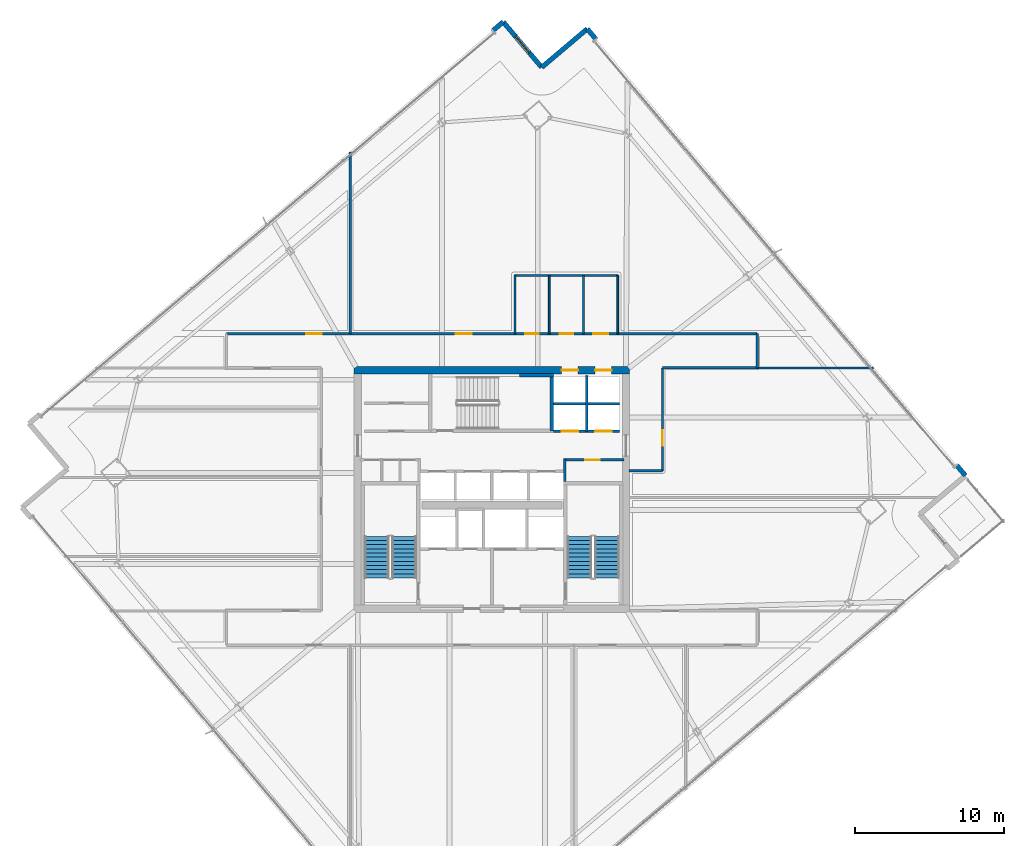
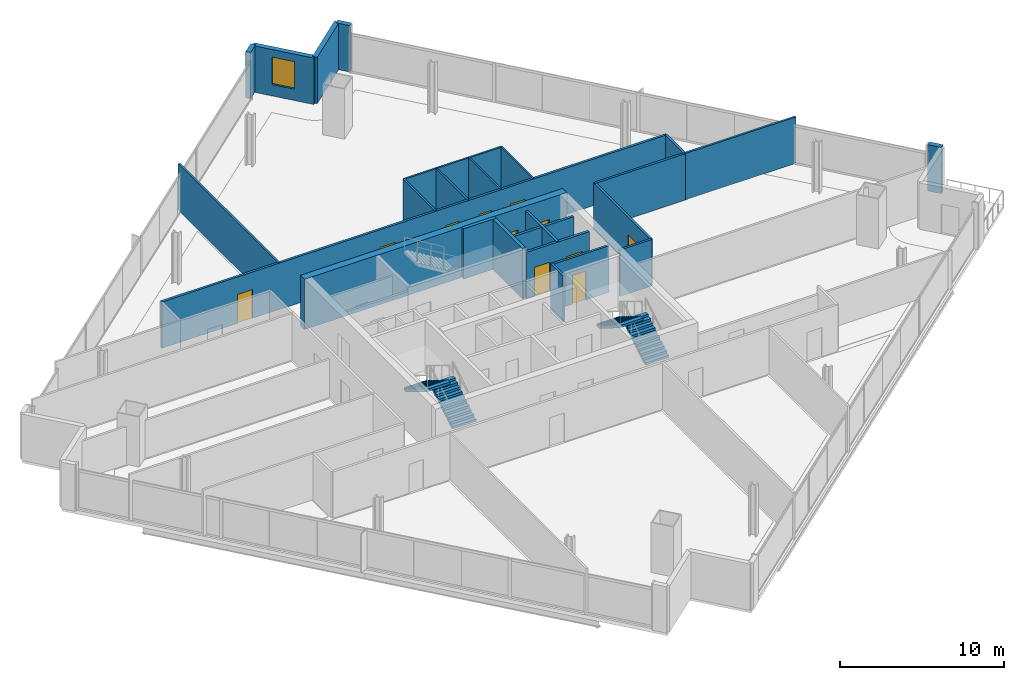
# One storey, part 28 of 34: 25 walls, 11 doors, 4 stair flights, 1 window, 12 openings, 2 elements without a shape of their own.
"""IFC4 building model written with IfcOpenShell, lengths in metres."""

import ifcopenshell
import ifcopenshell.guid

model = None  # the IFC model being written
_history = None  # IfcOwnerHistory: only IFC2X3 demands one
_inside = {}  # id of a spatial element -> (the spatial element, [elements in it])
_under = {}  # id of a project, library or spatial element -> (it, [spatial elements below it])
_declared = {}  # id of a project -> (the project, [libraries it declares])
_typed = {}  # id of a type object -> (the type object, [elements of that type])
_made_of = {}  # id of a material, layer set ... -> (it, [elements and type objects made of it])


def new_model(schema):
    """Start an empty IFC model of exactly this schema.

    Asked for "IFC4X3", IfcOpenShell would pick the latest addendum, in which some entities
    have other attributes; the version numbers below select the first issue.
    IFC2X3 requires an IfcOwnerHistory on every rooted entity: one is made here for all.
    """
    global model, _history
    if schema == "IFC4X3":
        model = ifcopenshell.file(schema_version=(4, 3, 0, 0))
    else:
        model = ifcopenshell.file(schema=schema)
    _inside.clear()
    _under.clear()
    _declared.clear()
    _typed.clear()
    _made_of.clear()
    _history = None
    if model.schema == "IFC2X3":
        org = make("IfcOrganization", Name="unknown")
        user = make(
            "IfcPersonAndOrganization",
            ThePerson=make("IfcPerson", FamilyName="unknown"),
            TheOrganization=org,
        )
        app = make(
            "IfcApplication",
            ApplicationDeveloper=org,
            Version="unknown",
            ApplicationFullName="unknown",
            ApplicationIdentifier="unknown",
        )
        _history = make(
            "IfcOwnerHistory",
            OwningUser=user,
            OwningApplication=app,
            ChangeAction="ADDED",
            CreationDate=0,
        )
    return model


def make(cls, **values):
    """One entity of the class cls with the attributes given. An attribute that is None is left unset."""
    return model.create_entity(
        cls, **{name: value for name, value in values.items() if value is not None}
    )


def rooted(cls, **values):
    """An entity with a GlobalId (a new one), such as an element, a storey or a relation."""
    return make(cls, GlobalId=ifcopenshell.guid.new(), OwnerHistory=_history, **values)


def si_unit(unit_type, name, prefix=None):
    """IfcSIUnit, for example si_unit("LENGTHUNIT", "METRE", prefix="MILLI")."""
    return make("IfcSIUnit", UnitType=unit_type, Prefix=prefix, Name=name)


def assignment(units):
    """IfcUnitAssignment: the units of a project."""
    return None if units is None else make("IfcUnitAssignment", Units=units)


def point(xyz):
    """IfcCartesianPoint."""
    return None if xyz is None else make("IfcCartesianPoint", Coordinates=xyz)


def direction(xyz):
    """IfcDirection."""
    return None if xyz is None else make("IfcDirection", DirectionRatios=xyz)


def frame(location, z_axis=None, x_axis=None):
    """IfcAxis2Placement3D, a coordinate frame: its origin and axes. An axis left out is left unset."""
    return make(
        "IfcAxis2Placement3D",
        Location=point(location),
        Axis=direction(z_axis),
        RefDirection=direction(x_axis),
    )


def frame_2d(location, x_axis=None):
    """IfcAxis2Placement2D, a coordinate frame in the plane: its origin and x axis."""
    return make(
        "IfcAxis2Placement2D", Location=point(location), RefDirection=direction(x_axis)
    )


def origin():
    """The frame at (0, 0, 0) with its axes left unset."""
    return frame((0.0, 0.0, 0.0))


def place(relative_to, where):
    """IfcLocalPlacement: puts the frame where relative to a parent placement (None: the world)."""
    return make(
        "IfcLocalPlacement", PlacementRelTo=relative_to, RelativePlacement=where
    )


def context(
    kind, dimensions, precision=None, world=None, true_north=None, identifier=None
):
    """IfcGeometricRepresentationContext, for example the 3D "Model" context."""
    return make(
        "IfcGeometricRepresentationContext",
        ContextIdentifier=identifier,
        ContextType=kind,
        CoordinateSpaceDimension=dimensions,
        Precision=precision,
        WorldCoordinateSystem=world,
        TrueNorth=true_north,
    )


def subcontext(parent, identifier, kind, view, scale=None):
    """IfcGeometricRepresentationSubContext, for example "Body" below "Model"."""
    return make(
        "IfcGeometricRepresentationSubContext",
        ContextIdentifier=identifier,
        ContextType=kind,
        ParentContext=parent,
        TargetScale=scale,
        TargetView=view,
    )


def project(units=None, contexts=None):
    """IfcProject with its units and contexts."""
    return rooted(
        "IfcProject",
        Name="project",
        RepresentationContexts=contexts,
        UnitsInContext=assignment(units),
    )


def spatial(cls, under=None, at=None, **own):
    """A site, building, storey or space (cls), placed at a placement, below another one or the project."""
    s = rooted(cls, ObjectPlacement=at, **own)
    if under is not None:
        _under.setdefault(under.id(), (under, []))[1].append(s)
    return s


def polyline(points):
    """IfcPolyline through the points."""
    return make("IfcPolyline", Points=[point(p) for p in points])


def profile(cls, at=None, kind="AREA", **sizes):
    """A parametric profile (cls). Its sizes go by their IFC names, for example OverallWidth=200.0."""
    return make(cls, ProfileType=kind, Position=at, **sizes)


def rectangle(**sizes):
    """IfcRectangleProfileDef."""
    return profile("IfcRectangleProfileDef", **sizes)


def outline(outer, holes=None, kind="AREA"):
    """IfcArbitraryClosedProfileDef: a profile drawn as a closed curve; with holes, ...WithVoids."""
    if holes is None:
        return make("IfcArbitraryClosedProfileDef", ProfileType=kind, OuterCurve=outer)
    return make(
        "IfcArbitraryProfileDefWithVoids",
        ProfileType=kind,
        OuterCurve=outer,
        InnerCurves=holes,
    )


def extrude(swept, where, along, depth):
    """IfcExtrudedAreaSolid: the profile swept, set in the frame where, extruded along a direction by depth."""
    return make(
        "IfcExtrudedAreaSolid",
        SweptArea=swept,
        Position=where,
        ExtrudedDirection=direction(along),
        Depth=depth,
    )


def shape(context_of_items, identifier, shape_type, items):
    """IfcShapeRepresentation: the items that make up one representation, for example the "Body"."""
    return make(
        "IfcShapeRepresentation",
        ContextOfItems=context_of_items,
        RepresentationIdentifier=identifier,
        RepresentationType=shape_type,
        Items=items,
    )


def material(Name=None, Category=None):
    """IfcMaterial."""
    return make("IfcMaterial", Name=Name, Category=Category)


def layer(
    of_material, thickness, ventilated=None, Name=None, Category=None, Priority=None
):
    """IfcMaterialLayer: one layer of a wall or slab, of a material (None: an air gap)."""
    return make(
        "IfcMaterialLayer",
        Material=of_material,
        LayerThickness=thickness,
        IsVentilated=ventilated,
        Name=Name,
        Category=Category,
        Priority=Priority,
    )


def layer_set(layers, Name=None):
    """IfcMaterialLayerSet."""
    return make("IfcMaterialLayerSet", MaterialLayers=layers, LayerSetName=Name)


def made_of(thing, what):
    """Note that an element or type object is made of a material, layer set ...; save() writes the relation."""
    if what is not None:
        _made_of.setdefault(what.id(), (what, []))[1].append(thing)
    return thing


def type_object(cls, material=None, **own):
    """A type object (cls), such as IfcWallType, which elements share."""
    return made_of(rooted(cls, **own), material)


def element(
    cls,
    number,
    at=None,
    inside=None,
    cuts=None,
    type_object=None,
    material=None,
    context=None,
    identifier="Body",
    shape_type=None,
    held_by="IfcProductDefinitionShape",
    body=None,
    shapes=None,
    **own,
):
    """One element of the class cls, such as IfcWall. Its Tag is "e" and its number.

    at: its placement. inside: the storey or other place that contains it. cuts: it is an
    opening in that element (IfcRelVoidsElement). A single representation is given by context,
    identifier, shape_type and body (its items); several are given by shapes. held_by: the class
    of the entity that holds the representations. save() writes the other relations.
    """
    e = rooted(cls, Tag="e%d" % number, ObjectPlacement=at, **own)
    if body is not None:
        shapes = [shape(context, identifier, shape_type, body)]
    if shapes is not None:
        e.Representation = make(held_by, Representations=shapes)
    if inside is not None:
        _inside.setdefault(inside.id(), (inside, []))[1].append(e)
    if cuts is not None:
        rooted(
            "IfcRelVoidsElement", RelatingBuildingElement=cuts, RelatedOpeningElement=e
        )
    if type_object is not None:
        _typed.setdefault(type_object.id(), (type_object, []))[1].append(e)
    return made_of(e, material)


def fill(opening, filler):
    """IfcRelFillsElement: the door or window that sits in an opening."""
    return rooted(
        "IfcRelFillsElement",
        RelatingOpeningElement=opening,
        RelatedBuildingElement=filler,
    )


def aggregate(whole, parts):
    """IfcRelAggregates: a whole, such as a stair, and the parts it consists of."""
    return rooted("IfcRelAggregates", RelatingObject=whole, RelatedObjects=parts)


def save(model, path):
    """Write the relations noted so far, then the file.

    IfcRelAggregates (storeys below a building ...), IfcRelContainedInSpatialStructure (elements
    in a storey), IfcRelDefinesByType, IfcRelAssociatesMaterial and IfcRelDeclares: one each for
    every whole, place, type object, material and project.
    """
    for whole, parts in _under.values():
        aggregate(whole, parts)
    for where, things in _inside.values():
        rooted(
            "IfcRelContainedInSpatialStructure",
            RelatedElements=things,
            RelatingStructure=where,
        )
    for kind, things in _typed.values():
        rooted("IfcRelDefinesByType", RelatedObjects=things, RelatingType=kind)
    for what, things in _made_of.values():
        rooted("IfcRelAssociatesMaterial", RelatedObjects=things, RelatingMaterial=what)
    for by, libraries in _declared.values():
        rooted("IfcRelDeclares", RelatingContext=by, RelatedDefinitions=libraries)
    model.write(path)


model = new_model("IFC4")

# Units and contexts
model_context = context("Model", 3, precision=1e-05, world=origin(), true_north=direction((0.0, 1.0)))
body_context = subcontext(model_context, "Body", "Model", "MODEL_VIEW")
ifc_project = project(units=[si_unit("LENGTHUNIT", "METRE"), si_unit("AREAUNIT", "SQUARE_METRE"), si_unit("VOLUMEUNIT", "CUBIC_METRE"), si_unit("PLANEANGLEUNIT", "RADIAN"), si_unit("MASSUNIT", "GRAM", prefix="KILO")], contexts=[model_context])

# Site, building, storey
site_placement = place(None, origin())
site = spatial("IfcSite", under=ifc_project, at=site_placement, CompositionType="ELEMENT")
building_placement = place(site_placement, origin())
building = spatial("IfcBuilding", under=site, at=building_placement, Name="Haldenkirk Collegiate Tower", CompositionType="ELEMENT")
storey_placement = place(building_placement, frame((0.0, 0.0, 163.199951171875)))
storey = spatial("IfcBuildingStorey", under=building, at=storey_placement, Name="L40", CompositionType="ELEMENT", Elevation=163.199951171875)

# Wall, openings, doors
ifc_material_1 = material(Name="Concrete f'c 55 MPa", Category="concrete")
ifc_layer_1 = layer(ifc_material_1, 0.5)
ifc_layer_set_1 = layer_set([ifc_layer_1], Name="Concrete f'c 55 MPa")
wall_type_1 = type_object("IfcWallType", Name="WL-CORE-500", PredefinedType="SHEAR", material=ifc_layer_set_1)
wall_1_placement = place(storey_placement, frame((26.75, 34.0, 0.0), z_axis=(0.0, 0.0, 1.0), x_axis=(1.0, 0.0, 0.0)))
wall_1 = element("IfcWall", 1, at=wall_1_placement, inside=storey, type_object=wall_type_1, Name="L40 central core shear wall N", PredefinedType="SHEAR", context=body_context, shape_type="SweptSolid", body=[
    extrude(rectangle(XDim=18.5, YDim=0.5, at=frame_2d((9.25, 0.0))), origin(), (0.0, 0.0, 1.0), 3.75),
])
opening_1_placement = place(wall_1_placement, frame((13.93505859375, 0.0, 0.0)))
opening_1 = element("IfcOpeningElement", 2, at=opening_1_placement, cuts=wall_1, Name="Opening LD-11", PredefinedType="OPENING", context=body_context, shape_type="SweptSolid", body=[
    extrude(rectangle(XDim=1.10009765625, YDim=2.14990234375, at=frame_2d((0.550048828125, 1.074951171875))), frame((0.0, 0.260009765625, 0.0), z_axis=(0.0, -1.0, 0.0), x_axis=(1.0, 0.0, 0.0)), (0.0, 0.0, 1.0), 0.52001953125),
])
opening_2_placement = place(wall_1_placement, frame((16.18505859375, 0.0, 0.0)))
opening_2 = element("IfcOpeningElement", 3, at=opening_2_placement, cuts=wall_1, Name="Opening LD-11", PredefinedType="OPENING", context=body_context, shape_type="SweptSolid", body=[
    extrude(rectangle(XDim=1.10009765625, YDim=2.14990234375, at=frame_2d((0.550048828125, 1.074951171875))), frame((0.0, 0.260009765625, 0.0), z_axis=(0.0, -1.0, 0.0), x_axis=(1.0, 0.0, 0.0)), (0.0, 0.0, 1.0), 0.52001953125),
])
ifc_material_2 = material(Name="Brushed architectural stainless steel", Category="steel")
ifc_layer_2 = layer(ifc_material_2, 0.06005859375)
ifc_layer_set_2 = layer_set([ifc_layer_2], Name="Brushed architectural stainless steel")
door_type_1 = type_object("IfcDoorType", Name="LD-PASS-1100", OperationType="NOTDEFINED", PredefinedType="DOOR", material=ifc_layer_set_2)
door_1_placement = place(opening_1_placement, origin())
door_1 = element("IfcDoor", 4, at=door_1_placement, inside=storey, type_object=door_type_1, Name="L40 Elevator PM3 sliding landing door", OperationType="SLIDING_TO_LEFT", OverallHeight=2.14990234375, OverallWidth=1.10009765625, PredefinedType="DOOR", context=body_context, shape_type="SweptSolid", body=[
    extrude(rectangle(XDim=1.10009765625, YDim=2.14990234375, at=frame_2d((0.550048828125, 1.074951171875))), frame((0.0, 0.02490234375, 0.0), z_axis=(0.0, -1.0, 0.0), x_axis=(1.0, 0.0, 0.0)), (0.0, 0.0, 1.0), 0.050048828125),
])
fill(opening_1, door_1)
door_2_placement = place(opening_2_placement, origin())
door_2 = element("IfcDoor", 5, at=door_2_placement, inside=storey, type_object=door_type_1, Name="L40 Elevator PM4 sliding landing door", OperationType="SLIDING_TO_LEFT", OverallHeight=2.14990234375, OverallWidth=1.10009765625, PredefinedType="DOOR", context=body_context, shape_type="SweptSolid", body=[
    extrude(rectangle(XDim=1.10009765625, YDim=2.14990234375, at=frame_2d((0.550048828125, 1.074951171875))), frame((0.0, 0.02490234375, 0.0), z_axis=(0.0, -1.0, 0.0), x_axis=(1.0, 0.0, 0.0)), (0.0, 0.0, 1.0), 0.050048828125),
])
fill(opening_2, door_2)

# Walls
ifc_material_3 = material(Name="Precast concrete f'c 40 MPa", Category="concrete")
ifc_layer_3 = layer(ifc_material_3, 0.320068359375)
ifc_layer_set_3 = layer_set([ifc_layer_3], Name="Precast concrete f'c 40 MPa")
wall_type_2 = type_object("IfcWallType", Name="WL-EXT-TWR-320", PredefinedType="STANDARD", material=ifc_layer_set_3)
for number, where, z_axis, x_axis, name in (
    (6, (42.399169921875, 56.901123046875, 0.0), (0.0, 0.0, 1.0), (0.64608813683, -0.763262811519, 0.0), "L40 precast corner pier EL"),
    (7, (67.194091796875, 27.612060546875, 0.0), (0.0, 0.0, 1.0), (0.64608813683, -0.763262811519, 0.0), "L40 precast corner pier ER"),
):
    element("IfcWall", number, at=place(storey_placement, frame(where, z_axis=z_axis, x_axis=x_axis)), inside=storey, type_object=wall_type_2, Name=name, PredefinedType="STANDARD", context=body_context, shape_type="SweptSolid", body=[
        extrude(rectangle(XDim=0.900146484375, YDim=0.320068359375, at=frame_2d((0.4501953125, 0.0))), origin(), (0.0, 0.0, 1.0), 3.4599609375),
    ])
wall_2_placement = place(storey_placement, frame((39.34619140625, 54.316650390625, 0.0), z_axis=(0.0, 0.0, 1.0), x_axis=(0.763240413737, 0.646114595748, 0.0)))
element("IfcWall", 8, at=wall_2_placement, inside=storey, type_object=wall_type_2, Name="L40 bronze precast notch wall 05", PredefinedType="STANDARD", context=body_context, shape_type="SweptSolid", body=[
    extrude(rectangle(XDim=4.0, YDim=0.320068359375, at=frame_2d((2.0, 0.0))), origin(), (0.0, 0.0, 1.0), 3.4599609375),
])

# Wall, opening, window
wall_3_placement = place(storey_placement, frame((36.76171875, 57.369384765625, 0.0), z_axis=(0.0, 0.0, 1.0), x_axis=(0.646144695405, -0.763214932113, 0.0)))
wall_3 = element("IfcWall", 9, at=wall_3_placement, inside=storey, type_object=wall_type_2, Name="L40 bronze precast notch wall 06", PredefinedType="STANDARD", context=body_context, shape_type="SweptSolid", body=[
    extrude(rectangle(XDim=3.999755859375, YDim=0.320068359375, at=frame_2d((2.0, 0.0))), origin(), (0.0, 0.0, 1.0), 3.4599609375),
])
opening_3_placement = place(wall_3_placement, frame((1.27490234375, 0.0, 0.85009765625)))
opening_3 = element("IfcOpeningElement", 10, at=opening_3_placement, cuts=wall_3, Name="Opening W-05", PredefinedType="OPENING", context=body_context, shape_type="SweptSolid", body=[
    extrude(rectangle(XDim=1.449951171875, YDim=2.050048828125, at=frame_2d((0.72509765625, 1.02490234375))), frame((0.0, 0.169921875, 0.0), z_axis=(0.0, -1.0, 0.0), x_axis=(1.0, 0.0, 0.0)), (0.0, 0.0, 1.0), 0.340087890625),
])
ifc_material_4 = material(Name="Low-E argon triple insulating glass", Category="glass")
ifc_layer_4 = layer(ifc_material_4, 0.090087890625)
ifc_layer_set_4 = layer_set([ifc_layer_4], Name="Low-E argon triple insulating glass")
window_type = type_object("IfcWindowType", Name="WN-Z3-1450X2050", PartitioningType="SINGLE_PANEL", PredefinedType="WINDOW", material=ifc_layer_set_4)
window_placement = place(opening_3_placement, origin())
window = element("IfcWindow", 11, at=window_placement, inside=storey, type_object=window_type, Name="L40 precast-frame academic window 5", OverallHeight=2.050048828125, OverallWidth=1.449951171875, PartitioningType="SINGLE_PANEL", PredefinedType="WINDOW", context=body_context, shape_type="SweptSolid", body=[
    extrude(rectangle(XDim=1.449951171875, YDim=2.050048828125, at=frame_2d((0.72509765625, 1.02490234375))), frame((0.0, 0.030029296875, 0.0), z_axis=(0.0, -1.0, 0.0), x_axis=(1.0, 0.0, 0.0)), (0.0, 0.0, 1.0), 0.06005859375),
])
fill(opening_3, window)

# Wall
wall_4_placement = place(storey_placement, frame((36.074951171875, 56.7880859375, 0.0), z_axis=(0.0, 0.0, 1.0), x_axis=(0.763283353079, 0.646063869066, 0.0)))
element("IfcWall", 12, at=wall_4_placement, inside=storey, type_object=wall_type_2, Name="L40 precast corner pier NR", PredefinedType="STANDARD", context=body_context, shape_type="SweptSolid", body=[
    extrude(rectangle(XDim=0.899658203125, YDim=0.320068359375, at=frame_2d((0.44970703125, 0.0))), origin(), (0.0, 0.0, 1.0), 3.4599609375),
])

# Wall, opening, door
ifc_material_5 = material(Name="Acoustic fire-rated gypsum partition", Category="concrete")
ifc_layer_5 = layer(ifc_material_5, 0.159912109375)
ifc_layer_set_5 = layer_set([ifc_layer_5], Name="Acoustic fire-rated gypsum partition")
wall_type_3 = type_object("IfcWallType", Name="WL-INT-CORR-160", PredefinedType="PARTITIONING", material=ifc_layer_set_5)
wall_5_placement = place(storey_placement, frame((40.800048828125, 27.97998046875, 0.0), z_axis=(0.0, 0.0, 1.0), x_axis=(1.0, 0.0, 0.0)))
wall_5 = element("IfcWall", 13, at=wall_5_placement, inside=storey, type_object=wall_type_3, Name="L40 interior partition IW-L40-VCSE-N", PredefinedType="PARTITIONING", context=body_context, shape_type="SweptSolid", body=[
    extrude(rectangle(XDim=4.050048828125, YDim=0.159912109375, at=frame_2d((2.02490234375, 0.0))), origin(), (0.0, 0.0, 1.0), 3.4599609375),
])
opening_4_placement = place(wall_5_placement, frame((1.47509765625, 0.0, 0.0)))
opening_4 = element("IfcOpeningElement", 14, at=opening_4_placement, cuts=wall_5, Name="Opening D-10", PredefinedType="OPENING", context=body_context, shape_type="SweptSolid", body=[
    extrude(rectangle(XDim=0.949951171875, YDim=2.14990234375, at=frame_2d((0.47509765625, 1.074951171875))), frame((0.0, 0.08984375, 0.0), z_axis=(0.0, -1.0, 0.0), x_axis=(1.0, 0.0, 0.0)), (0.0, 0.0, 1.0), 0.179931640625),
])
ifc_material_6 = material(Name="Solid-core architectural oak fire door", Category="wood")
ifc_layer_6 = layer(ifc_material_6, 0.06005859375)
ifc_layer_set_6 = layer_set([ifc_layer_6], Name="Solid-core architectural oak fire door")
door_type_2 = type_object("IfcDoorType", Name="DR-INT-FD60-950", OperationType="NOTDEFINED", PredefinedType="DOOR", material=ifc_layer_set_6)
door_3_placement = place(opening_4_placement, origin())
door_3 = element("IfcDoor", 15, at=door_3_placement, inside=storey, type_object=door_type_2, Name="L40 core archive vault door", OperationType="SINGLE_SWING_LEFT", OverallHeight=2.14990234375, OverallWidth=0.949951171875, PredefinedType="DOOR", context=body_context, shape_type="SweptSolid", body=[
    extrude(rectangle(XDim=0.949951171875, YDim=2.14990234375, at=frame_2d((0.47509765625, 1.074951171875))), frame((0.0, 0.02490234375, 0.0), z_axis=(0.0, -1.0, 0.0), x_axis=(1.0, 0.0, 0.0)), (0.0, 0.0, 1.0), 0.050048828125),
])
fill(opening_4, door_3)

# Wall
wall_6_placement = place(storey_placement, frame((40.8798828125, 26.5400390625, 0.0), z_axis=(0.0, 0.0, 1.0), x_axis=(0.0, 1.0, 0.0)))
element("IfcWall", 16, at=wall_6_placement, inside=storey, type_object=wall_type_3, Name="L40 interior partition IW-L40-VCSE-W", PredefinedType="PARTITIONING", context=body_context, shape_type="SweptSolid", body=[
    extrude(rectangle(XDim=1.510009765625, YDim=0.159912109375, at=frame_2d((0.7548828125, 0.0))), origin(), (0.0, 0.0, 1.0), 3.4599609375),
])

# Wall, openings, doors
wall_7_placement = place(storey_placement, frame((18.199951171875, 36.449951171875, 0.0), z_axis=(0.0, 0.0, 1.0), x_axis=(1.0, 0.0, 0.0)))
wall_7 = element("IfcWall", 17, at=wall_7_placement, inside=storey, type_object=wall_type_3, Name="L40 interior partition IW-L40-CN", PredefinedType="PARTITIONING", context=body_context, shape_type="SweptSolid", body=[
    extrude(rectangle(XDim=35.60009765625, YDim=0.159912109375, at=frame_2d((17.800048828125, 0.0))), origin(), (0.0, 0.0, 1.0), 3.4599609375),
])
opening_5_placement = place(wall_7_placement, frame((20.050048828125, 0.0, 0.0)))
opening_5 = element("IfcOpeningElement", 18, at=opening_5_placement, cuts=wall_7, Name="Opening D-13", PredefinedType="OPENING", context=body_context, shape_type="SweptSolid", body=[
    extrude(rectangle(XDim=0.89990234375, YDim=2.14990234375, at=frame_2d((0.449951171875, 1.074951171875))), frame((0.0, 0.08984375, 0.0), z_axis=(0.0, -1.0, 0.0), x_axis=(1.0, 0.0, 0.0)), (0.0, 0.0, 1.0), 0.179931640625),
])
opening_6_placement = place(wall_7_placement, frame((22.35009765625, 0.0, 0.0)))
opening_6 = element("IfcOpeningElement", 19, at=opening_6_placement, cuts=wall_7, Name="Opening D-13", PredefinedType="OPENING", context=body_context, shape_type="SweptSolid", body=[
    extrude(rectangle(XDim=0.89990234375, YDim=2.14990234375, at=frame_2d((0.449951171875, 1.074951171875))), frame((0.0, 0.08984375, 0.0), z_axis=(0.0, -1.0, 0.0), x_axis=(1.0, 0.0, 0.0)), (0.0, 0.0, 1.0), 0.179931640625),
])
opening_7_placement = place(wall_7_placement, frame((24.60009765625, 0.0, 0.0)))
opening_7 = element("IfcOpeningElement", 20, at=opening_7_placement, cuts=wall_7, Name="Opening D-14", PredefinedType="OPENING", context=body_context, shape_type="SweptSolid", body=[
    extrude(rectangle(XDim=1.0, YDim=2.14990234375, at=frame_2d((0.5, 1.074951171875))), frame((0.0, 0.08984375, 0.0), z_axis=(0.0, -1.0, 0.0), x_axis=(1.0, 0.0, 0.0)), (0.0, 0.0, 1.0), 0.179931640625),
])
opening_8_placement = place(wall_7_placement, frame((5.344970703125, 0.0, 0.0)))
opening_8 = element("IfcOpeningElement", 21, at=opening_8_placement, cuts=wall_7, Name="Opening D-09", PredefinedType="OPENING", context=body_context, shape_type="SweptSolid", body=[
    extrude(rectangle(XDim=1.050048828125, YDim=2.14990234375, at=frame_2d((0.52490234375, 1.074951171875))), frame((0.0, 0.08984375, 0.0), z_axis=(0.0, -1.0, 0.0), x_axis=(1.0, 0.0, 0.0)), (0.0, 0.0, 1.0), 0.179931640625),
])
opening_9_placement = place(wall_7_placement, frame((15.39501953125, 0.0, 0.0)))
opening_9 = element("IfcOpeningElement", 22, at=opening_9_placement, cuts=wall_7, Name="Opening D-09", PredefinedType="OPENING", context=body_context, shape_type="SweptSolid", body=[
    extrude(rectangle(XDim=1.050048828125, YDim=2.14990234375, at=frame_2d((0.52490234375, 1.074951171875))), frame((0.0, 0.08984375, 0.0), z_axis=(0.0, -1.0, 0.0), x_axis=(1.0, 0.0, 0.0)), (0.0, 0.0, 1.0), 0.179931640625),
])
ifc_layer_7 = layer(ifc_material_6, 0.06005859375)
ifc_layer_set_7 = layer_set([ifc_layer_7], Name="Solid-core architectural oak fire door")
door_type_3 = type_object("IfcDoorType", Name="DR-INT-ACC-1000", OperationType="NOTDEFINED", PredefinedType="DOOR", material=ifc_layer_set_7)
door_4_placement = place(opening_7_placement, origin())
door_4 = element("IfcDoor", 23, at=door_4_placement, inside=storey, type_object=door_type_3, Name="L40 Accessible WC door", OperationType="SINGLE_SWING_RIGHT", OverallHeight=2.14990234375, OverallWidth=1.0, PredefinedType="DOOR", context=body_context, shape_type="SweptSolid", body=[
    extrude(rectangle(XDim=1.0, YDim=2.14990234375, at=frame_2d((0.5, 1.074951171875))), frame((0.0, 0.02490234375, 0.0), z_axis=(0.0, -1.0, 0.0), x_axis=(1.0, 0.0, 0.0)), (0.0, 0.0, 1.0), 0.050048828125),
])
fill(opening_7, door_4)
ifc_layer_8 = layer(ifc_material_6, 0.06005859375)
ifc_layer_set_8 = layer_set([ifc_layer_8], Name="Solid-core architectural oak fire door")
door_type_4 = type_object("IfcDoorType", Name="DR-INT-FD60-1050", OperationType="NOTDEFINED", PredefinedType="DOOR", material=ifc_layer_set_8)
door_5_placement = place(opening_8_placement, origin())
door_5 = element("IfcDoor", 24, at=door_5_placement, inside=storey, type_object=door_type_4, Name="L40 Instrument Store Room 5 door", OperationType="SINGLE_SWING_LEFT", OverallHeight=2.14990234375, OverallWidth=1.050048828125, PredefinedType="DOOR", context=body_context, shape_type="SweptSolid", body=[
    extrude(rectangle(XDim=1.050048828125, YDim=2.14990234375, at=frame_2d((0.52490234375, 1.074951171875))), frame((0.0, 0.02490234375, 0.0), z_axis=(0.0, -1.0, 0.0), x_axis=(1.0, 0.0, 0.0)), (0.0, 0.0, 1.0), 0.050048828125),
])
fill(opening_8, door_5)
door_6_placement = place(opening_9_placement, origin())
door_6 = element("IfcDoor", 25, at=door_6_placement, inside=storey, type_object=door_type_4, Name="L40 Material Specimen Store 6 door", OperationType="SINGLE_SWING_RIGHT", OverallHeight=2.14990234375, OverallWidth=1.050048828125, PredefinedType="DOOR", context=body_context, shape_type="SweptSolid", body=[
    extrude(rectangle(XDim=1.050048828125, YDim=2.14990234375, at=frame_2d((0.52490234375, 1.074951171875))), frame((0.0, 0.02490234375, 0.0), z_axis=(0.0, -1.0, 0.0), x_axis=(1.0, 0.0, 0.0)), (0.0, 0.0, 1.0), 0.050048828125),
])
fill(opening_9, door_6)
ifc_layer_9 = layer(ifc_material_6, 0.06005859375)
ifc_layer_set_9 = layer_set([ifc_layer_9], Name="Solid-core architectural oak fire door")
door_type_5 = type_object("IfcDoorType", Name="DR-INT-STD-900", OperationType="NOTDEFINED", PredefinedType="DOOR", material=ifc_layer_set_9)
door_7_placement = place(opening_5_placement, origin())
door_7 = element("IfcDoor", 26, at=door_7_placement, inside=storey, type_object=door_type_5, Name="L40 Male WC door", OperationType="SINGLE_SWING_RIGHT", OverallHeight=2.14990234375, OverallWidth=0.89990234375, PredefinedType="DOOR", context=body_context, shape_type="SweptSolid", body=[
    extrude(rectangle(XDim=0.89990234375, YDim=2.14990234375, at=frame_2d((0.449951171875, 1.074951171875))), frame((0.0, 0.02490234375, 0.0), z_axis=(0.0, -1.0, 0.0), x_axis=(1.0, 0.0, 0.0)), (0.0, 0.0, 1.0), 0.050048828125),
])
fill(opening_5, door_7)
door_8_placement = place(opening_6_placement, origin())
door_8 = element("IfcDoor", 27, at=door_8_placement, inside=storey, type_object=door_type_5, Name="L40 Female WC door", OperationType="SINGLE_SWING_LEFT", OverallHeight=2.14990234375, OverallWidth=0.89990234375, PredefinedType="DOOR", context=body_context, shape_type="SweptSolid", body=[
    extrude(rectangle(XDim=0.89990234375, YDim=2.14990234375, at=frame_2d((0.449951171875, 1.074951171875))), frame((0.0, 0.02490234375, 0.0), z_axis=(0.0, -1.0, 0.0), x_axis=(1.0, 0.0, 0.0)), (0.0, 0.0, 1.0), 0.050048828125),
])
fill(opening_6, door_8)

# Wall
wall_8_placement = place(storey_placement, frame((47.449951171875, 34.14990234375, 0.0), z_axis=(0.0, 0.0, 1.0), x_axis=(1.0, 0.0, 0.0)))
element("IfcWall", 28, at=wall_8_placement, inside=storey, type_object=wall_type_3, Name="L40 interior partition IW-L40-CNE", PredefinedType="PARTITIONING", context=body_context, shape_type="SweptSolid", body=[
    extrude(rectangle(XDim=6.35009765625, YDim=0.159912109375, at=frame_2d((3.175048828125, 0.0))), origin(), (0.0, 0.0, 1.0), 3.4599609375),
])

# Wall, opening, door
wall_9_placement = place(storey_placement, frame((47.449951171875, 27.25, 0.0), z_axis=(0.0, 0.0, 1.0), x_axis=(0.0, 1.0, 0.0)))
wall_9 = element("IfcWall", 29, at=wall_9_placement, inside=storey, type_object=wall_type_3, Name="L40 interior partition IW-L40-CE", PredefinedType="PARTITIONING", context=body_context, shape_type="SweptSolid", body=[
    extrude(rectangle(XDim=6.89990234375, YDim=0.159912109375, at=frame_2d((3.449951171875, 0.0))), origin(), (0.0, 0.0, 1.0), 3.4599609375),
])
opening_10_placement = place(wall_9_placement, frame((1.68310546875, 0.0, 0.0)))
opening_10 = element("IfcOpeningElement", 30, at=opening_10_placement, cuts=wall_9, Name="Opening D-09", PredefinedType="OPENING", context=body_context, shape_type="SweptSolid", body=[
    extrude(rectangle(XDim=1.050048828125, YDim=2.14990234375, at=frame_2d((0.52490234375, 1.074951171875))), frame((0.0, 0.08984375, 0.0), z_axis=(0.0, -1.0, 0.0), x_axis=(1.0, 0.0, 0.0)), (0.0, 0.0, 1.0), 0.179931640625),
])
door_9_placement = place(opening_10_placement, origin())
door_9 = element("IfcDoor", 31, at=door_9_placement, inside=storey, type_object=door_type_4, Name="L40 Material Specimen Store 12 door", OperationType="SINGLE_SWING_RIGHT", OverallHeight=2.14990234375, OverallWidth=1.050048828125, PredefinedType="DOOR", context=body_context, shape_type="SweptSolid", body=[
    extrude(rectangle(XDim=1.050048828125, YDim=2.14990234375, at=frame_2d((0.52490234375, 1.074951171875))), frame((0.0, 0.02490234375, 0.0), z_axis=(0.0, -1.0, 0.0), x_axis=(1.0, 0.0, 0.0)), (0.0, 0.0, 1.0), 0.050048828125),
])
fill(opening_10, door_9)

# Walls
wall_10_placement = place(storey_placement, frame((45.199951171875, 27.25, 0.0), z_axis=(0.0, 0.0, 1.0), x_axis=(1.0, 0.0, 0.0)))
element("IfcWall", 32, at=wall_10_placement, inside=storey, type_object=wall_type_3, Name="L40 interior partition IW-L40-CES", PredefinedType="PARTITIONING", context=body_context, shape_type="SweptSolid", body=[
    extrude(rectangle(XDim=2.25, YDim=0.159912109375, at=frame_2d((1.125, 0.0))), origin(), (0.0, 0.0, 1.0), 3.4599609375),
])
wall_11_placement = place(storey_placement, frame((53.800048828125, 34.14990234375, 0.0), z_axis=(0.0, 0.0, 1.0), x_axis=(0.0, 1.0, 0.0)))
element("IfcWall", 33, at=wall_11_placement, inside=storey, type_object=wall_type_3, Name="L40 interior partition IW-L40-CNR", PredefinedType="PARTITIONING", context=body_context, shape_type="SweptSolid", body=[
    extrude(rectangle(XDim=2.300048828125, YDim=0.159912109375, at=frame_2d((1.14990234375, 0.0))), origin(), (0.0, 0.0, 1.0), 3.4599609375),
])
ifc_layer_10 = layer(ifc_material_5, 0.139892578125)
ifc_layer_set_10 = layer_set([ifc_layer_10], Name="Acoustic fire-rated gypsum partition")
wall_type_4 = type_object("IfcWallType", Name="WL-INT-DIV-140", PredefinedType="PARTITIONING", material=ifc_layer_set_10)
wall_12_placement = place(storey_placement, frame((53.800048828125, 34.14990234375, 0.0), z_axis=(0.0, 0.0, 1.0), x_axis=(1.0, 0.0, 0.0)))
element("IfcWall", 34, at=wall_12_placement, inside=storey, type_object=wall_type_4, Name="L40 interior partition IW-L40-BEN", PredefinedType="PARTITIONING", context=body_context, shape_type="SweptSolid", body=[
    extrude(rectangle(XDim=7.806884765625, YDim=0.139892578125, at=frame_2d((3.9033203125, 0.0))), origin(), (0.0, 0.0, 1.0), 3.4599609375),
])
wall_13_placement = place(storey_placement, frame((26.5, 36.449951171875, 0.0), z_axis=(0.0, 0.0, 1.0), x_axis=(0.0, 1.0, 0.0)))
element("IfcWall", 35, at=wall_13_placement, inside=storey, type_object=wall_type_4, Name="L40 interior partition IW-L40-RN1", PredefinedType="PARTITIONING", context=body_context, shape_type="SweptSolid", body=[
    extrude(rectangle(XDim=12.179931640625, YDim=0.139892578125, at=frame_2d((6.08984375, 0.0))), origin(), (0.0, 0.0, 1.0), 3.4599609375),
])

# Wall, openings, doors
ifc_material_7 = material(Name="Fire-rated gypsum shaftboard assembly", Category="concrete")
ifc_layer_11 = layer(ifc_material_7, 0.179931640625)
ifc_layer_set_11 = layer_set([ifc_layer_11], Name="Fire-rated gypsum shaftboard assembly")
wall_type_5 = type_object("IfcWallType", Name="WL-INT-SHAFT-180", PredefinedType="PARTITIONING", material=ifc_layer_set_11)
wall_14_placement = place(storey_placement, frame((40.1201171875, 29.89990234375, 0.0), z_axis=(0.0, 0.0, 1.0), x_axis=(1.0, 0.0, 0.0)))
wall_14 = element("IfcWall", 36, at=wall_14_placement, inside=storey, type_object=wall_type_5, Name="L40 interior partition IW-L40-PMS", PredefinedType="PARTITIONING", context=body_context, shape_type="SweptSolid", body=[
    extrude(rectangle(XDim=4.429931640625, YDim=0.179931640625, at=frame_2d((2.21484375, 0.0))), origin(), (0.0, 0.0, 1.0), 3.4599609375),
])
opening_11_placement = place(wall_14_placement, frame((0.56494140625, 0.0, 0.0)))
opening_11 = element("IfcOpeningElement", 37, at=opening_11_placement, cuts=wall_14, Name="Opening LD-11", PredefinedType="OPENING", context=body_context, shape_type="SweptSolid", body=[
    extrude(rectangle(XDim=1.10009765625, YDim=2.14990234375, at=frame_2d((0.550048828125, 1.074951171875))), frame((0.0, 0.099853515625, 0.0), z_axis=(0.0, -1.0, 0.0), x_axis=(1.0, 0.0, 0.0)), (0.0, 0.0, 1.0), 0.199951171875),
])
opening_12_placement = place(wall_14_placement, frame((2.81494140625, 0.0, 0.0)))
opening_12 = element("IfcOpeningElement", 38, at=opening_12_placement, cuts=wall_14, Name="Opening LD-11", PredefinedType="OPENING", context=body_context, shape_type="SweptSolid", body=[
    extrude(rectangle(XDim=1.10009765625, YDim=2.14990234375, at=frame_2d((0.550048828125, 1.074951171875))), frame((0.0, 0.099853515625, 0.0), z_axis=(0.0, -1.0, 0.0), x_axis=(1.0, 0.0, 0.0)), (0.0, 0.0, 1.0), 0.199951171875),
])
door_10_placement = place(opening_11_placement, origin())
door_10 = element("IfcDoor", 39, at=door_10_placement, inside=storey, type_object=door_type_1, Name="L40 Elevator PM1 sliding landing door", OperationType="SLIDING_TO_LEFT", OverallHeight=2.14990234375, OverallWidth=1.10009765625, PredefinedType="DOOR", context=body_context, shape_type="SweptSolid", body=[
    extrude(rectangle(XDim=1.10009765625, YDim=2.14990234375, at=frame_2d((0.550048828125, 1.074951171875))), frame((0.0, 0.02490234375, 0.0), z_axis=(0.0, -1.0, 0.0), x_axis=(1.0, 0.0, 0.0)), (0.0, 0.0, 1.0), 0.050048828125),
])
fill(opening_11, door_10)
door_11_placement = place(opening_12_placement, origin())
door_11 = element("IfcDoor", 40, at=door_11_placement, inside=storey, type_object=door_type_1, Name="L40 Elevator PM2 sliding landing door", OperationType="SLIDING_TO_LEFT", OverallHeight=2.14990234375, OverallWidth=1.10009765625, PredefinedType="DOOR", context=body_context, shape_type="SweptSolid", body=[
    extrude(rectangle(XDim=1.10009765625, YDim=2.14990234375, at=frame_2d((0.550048828125, 1.074951171875))), frame((0.0, 0.02490234375, 0.0), z_axis=(0.0, -1.0, 0.0), x_axis=(1.0, 0.0, 0.0)), (0.0, 0.0, 1.0), 0.050048828125),
])
fill(opening_12, door_11)

# Walls
wall_15_placement = place(storey_placement, frame((40.1201171875, 31.75, 0.0), z_axis=(0.0, 0.0, 1.0), x_axis=(1.0, 0.0, 0.0)))
element("IfcWall", 41, at=wall_15_placement, inside=storey, type_object=wall_type_5, Name="L40 interior partition IW-L40-PMM", PredefinedType="PARTITIONING", context=body_context, shape_type="SweptSolid", body=[
    extrude(rectangle(XDim=4.429931640625, YDim=0.179931640625, at=frame_2d((2.21484375, 0.0))), origin(), (0.0, 0.0, 1.0), 3.4599609375),
])
wall_16_placement = place(storey_placement, frame((42.3701171875, 29.89990234375, 0.0), z_axis=(0.0, 0.0, 1.0), x_axis=(0.0, 1.0, 0.0)))
element("IfcWall", 42, at=wall_16_placement, inside=storey, type_object=wall_type_5, Name="L40 interior partition IW-L40-PMV", PredefinedType="PARTITIONING", context=body_context, shape_type="SweptSolid", body=[
    extrude(rectangle(XDim=3.75, YDim=0.179931640625, at=frame_2d((1.875, 0.0))), origin(), (0.0, 0.0, 1.0), 3.4599609375),
])
ifc_layer_12 = layer(ifc_material_5, 0.1201171875)
ifc_layer_set_12 = layer_set([ifc_layer_12], Name="Acoustic fire-rated gypsum partition")
wall_type_6 = type_object("IfcWallType", Name="WL-INT-WET-120", PredefinedType="PARTITIONING", material=ifc_layer_set_12)
for number, where, z_axis, x_axis, name in (
    (43, (37.550048828125, 36.449951171875, 0.0), (0.0, 0.0, 1.0), (0.0, 1.0, 0.0), "L40 interior partition IW-L40-WCW"),
    (44, (39.85009765625, 36.449951171875, 0.0), (0.0, 0.0, 1.0), (0.0, 1.0, 0.0), "L40 interior partition IW-L40-WC1"),
    (45, (42.14990234375, 36.449951171875, 0.0), (0.0, 0.0, 1.0), (0.0, 1.0, 0.0), "L40 interior partition IW-L40-WC2"),
    (46, (44.449951171875, 36.449951171875, 0.0), (0.0, 0.0, 1.0), (0.0, 1.0, 0.0), "L40 interior partition IW-L40-WCE"),
):
    element("IfcWall", number, at=place(storey_placement, frame(where, z_axis=z_axis, x_axis=x_axis)), inside=storey, type_object=wall_type_6, Name=name, PredefinedType="PARTITIONING", context=body_context, shape_type="SweptSolid", body=[
        extrude(rectangle(XDim=3.900146484375, YDim=0.1201171875, at=frame_2d((1.9501953125, 0.0))), origin(), (0.0, 0.0, 1.0), 3.4599609375),
    ])
wall_17_placement = place(storey_placement, frame((37.550048828125, 40.35009765625, 0.0), z_axis=(0.0, 0.0, 1.0), x_axis=(1.0, 0.0, 0.0)))
element("IfcWall", 47, at=wall_17_placement, inside=storey, type_object=wall_type_6, Name="L40 interior partition IW-L40-WCB", PredefinedType="PARTITIONING", context=body_context, shape_type="SweptSolid", body=[
    extrude(rectangle(XDim=6.89990234375, YDim=0.1201171875, at=frame_2d((3.449951171875, 0.0))), origin(), (0.0, 0.0, 1.0), 3.4599609375),
])
ifc_layer_13 = layer(ifc_material_1, 0.239990234375)
ifc_layer_set_13 = layer_set([ifc_layer_13], Name="Concrete f'c 55 MPa")
wall_type_7 = type_object("IfcWallType", Name="WL-SHAFT-240", PredefinedType="SHEAR", material=ifc_layer_set_13)
wall_18_placement = place(storey_placement, frame((40.02001953125, 29.929931640625, 0.0), z_axis=(0.0, 0.0, 1.0), x_axis=(0.0, 1.0, 0.0)))
element("IfcWall", 48, at=wall_18_placement, inside=storey, type_object=wall_type_7, Name="L40 stair shaft shear wall SW-L40-ST3E", PredefinedType="SHEAR", context=body_context, shape_type="SweptSolid", body=[
    extrude(rectangle(XDim=3.85009765625, YDim=0.239990234375, at=frame_2d((1.925048828125, 0.0))), origin(), (0.0, 0.0, 1.0), 3.75),
])
wall_19_placement = place(storey_placement, frame((37.85009765625, 33.659912109375, 0.0), z_axis=(0.0, 0.0, 1.0), x_axis=(1.0, 0.0, 0.0)))
element("IfcWall", 49, at=wall_19_placement, inside=storey, type_object=wall_type_7, Name="L40 stair shaft shear wall SW-L40-ST3N", PredefinedType="SHEAR", context=body_context, shape_type="SweptSolid", body=[
    extrude(rectangle(XDim=2.289794921875, YDim=0.239990234375, at=frame_2d((1.14501953125, 0.0))), origin(), (0.0, 0.0, 1.0), 3.75),
])

# Stair, stair flights
ifc_material_8 = material(Name="Concrete f'c 40 MPa", Category="concrete")
stair_type = type_object("IfcStairType", Name="STR-DOGLEG-1650", PredefinedType="HALF_TURN_STAIR", material=ifc_material_8)
stair_1_placement = place(storey_placement, origin())
stair_1 = element("IfcStair", 50, at=stair_1_placement, inside=storey, type_object=stair_type, Name="L40 Core Exit Stair ST-1", PredefinedType="HALF_TURN_STAIR")
stair_flight_type = type_object("IfcStairFlightType", Name="STF-FLIGHT-1650", PredefinedType="STRAIGHT", material=ifc_material_8)
stair_flight_1_placement = place(storey_placement, frame((30.125, 20.050048828125, 0.0), z_axis=(0.0, 0.0, 1.0), x_axis=(0.0, 1.0, 0.0)))
stair_flight_1 = element("IfcStairFlight", 51, at=stair_flight_1_placement, type_object=stair_flight_type, Name="ST-1 flight 1", NumberOfRisers=11, NumberOfTreads=10, PredefinedType="STRAIGHT", RiserHeight=0.170454545, TreadLength=0.28, context=body_context, shape_type="SweptSolid", body=[
    extrude(outline(polyline([(0.0, 0.0), (0.0, 0.17041015625), (0.280029296875, 0.17041015625), (0.280029296875, 0.3408203125), (0.56005859375, 0.3408203125), (0.56005859375, 0.511474609375), (0.840087890625, 0.511474609375), (0.840087890625, 0.681884765625), (1.1201171875, 0.681884765625), (1.1201171875, 0.852294921875), (1.39990234375, 0.852294921875), (1.39990234375, 1.022705078125), (1.679931640625, 1.022705078125), (1.679931640625, 1.193115234375), (1.9599609375, 1.193115234375), (1.9599609375, 1.363525390625), (2.239990234375, 1.363525390625), (2.239990234375, 1.5341796875), (2.52001953125, 1.5341796875), (2.52001953125, 1.70458984375), (2.800048828125, 1.70458984375), (2.800048828125, 1.875), (2.800048828125, 1.529052734375), (0.288330078125, 0.0), (0.0, 0.0)])), frame((0.0, 0.824951171875, 0.0), z_axis=(0.0, -1.0, 0.0), x_axis=(1.0, 0.0, 0.0)), (0.0, 0.0, 1.0), 1.64990234375),
])
stair_flight_2_placement = place(storey_placement, frame((28.27490234375, 22.85009765625, 1.875), z_axis=(0.0, 0.0, 1.0), x_axis=(0.0, -1.0, 0.0)))
stair_flight_2 = element("IfcStairFlight", 52, at=stair_flight_2_placement, type_object=stair_flight_type, Name="ST-1 flight 2", NumberOfRisers=11, NumberOfTreads=10, PredefinedType="STRAIGHT", RiserHeight=0.170454545, TreadLength=0.28, context=body_context, shape_type="SweptSolid", body=[
    extrude(outline(polyline([(0.0, 0.0), (0.0, 0.17041015625), (0.280029296875, 0.17041015625), (0.280029296875, 0.3408203125), (0.56005859375, 0.3408203125), (0.56005859375, 0.511474609375), (0.840087890625, 0.511474609375), (0.840087890625, 0.681884765625), (1.1201171875, 0.681884765625), (1.1201171875, 0.852294921875), (1.39990234375, 0.852294921875), (1.39990234375, 1.022705078125), (1.679931640625, 1.022705078125), (1.679931640625, 1.193115234375), (1.9599609375, 1.193115234375), (1.9599609375, 1.363525390625), (2.239990234375, 1.363525390625), (2.239990234375, 1.5341796875), (2.52001953125, 1.5341796875), (2.52001953125, 1.70458984375), (2.800048828125, 1.70458984375), (2.800048828125, 1.875), (2.800048828125, 1.529052734375), (0.288330078125, 0.0), (0.0, 0.0)])), frame((0.0, 0.824951171875, 0.0), z_axis=(0.0, -1.0, 0.0), x_axis=(1.0, 0.0, 0.0)), (0.0, 0.0, 1.0), 1.64990234375),
])
aggregate(stair_1, [stair_flight_1, stair_flight_2])

stair_2_placement = place(storey_placement, origin())
stair_2 = element("IfcStair", 53, at=stair_2_placement, inside=storey, type_object=stair_type, Name="L40 Core Exit Stair ST-2", PredefinedType="HALF_TURN_STAIR")
stair_flight_3_placement = place(storey_placement, frame((43.72509765625, 20.050048828125, 0.0), z_axis=(0.0, 0.0, 1.0), x_axis=(0.0, 1.0, 0.0)))
stair_flight_3 = element("IfcStairFlight", 54, at=stair_flight_3_placement, type_object=stair_flight_type, Name="ST-2 flight 1", NumberOfRisers=11, NumberOfTreads=10, PredefinedType="STRAIGHT", RiserHeight=0.170454545, TreadLength=0.28, context=body_context, shape_type="SweptSolid", body=[
    extrude(outline(polyline([(0.0, 0.0), (0.0, 0.17041015625), (0.280029296875, 0.17041015625), (0.280029296875, 0.3408203125), (0.56005859375, 0.3408203125), (0.56005859375, 0.511474609375), (0.840087890625, 0.511474609375), (0.840087890625, 0.681884765625), (1.1201171875, 0.681884765625), (1.1201171875, 0.852294921875), (1.39990234375, 0.852294921875), (1.39990234375, 1.022705078125), (1.679931640625, 1.022705078125), (1.679931640625, 1.193115234375), (1.9599609375, 1.193115234375), (1.9599609375, 1.363525390625), (2.239990234375, 1.363525390625), (2.239990234375, 1.5341796875), (2.52001953125, 1.5341796875), (2.52001953125, 1.70458984375), (2.800048828125, 1.70458984375), (2.800048828125, 1.875), (2.800048828125, 1.529052734375), (0.288330078125, 0.0), (0.0, 0.0)])), frame((0.0, 0.824951171875, 0.0), z_axis=(0.0, -1.0, 0.0), x_axis=(1.0, 0.0, 0.0)), (0.0, 0.0, 1.0), 1.64990234375),
])
stair_flight_4_placement = place(storey_placement, frame((41.875, 22.85009765625, 1.875), z_axis=(0.0, 0.0, 1.0), x_axis=(0.0, -1.0, 0.0)))
stair_flight_4 = element("IfcStairFlight", 55, at=stair_flight_4_placement, type_object=stair_flight_type, Name="ST-2 flight 2", NumberOfRisers=11, NumberOfTreads=10, PredefinedType="STRAIGHT", RiserHeight=0.170454545, TreadLength=0.28, context=body_context, shape_type="SweptSolid", body=[
    extrude(outline(polyline([(0.0, 0.0), (0.0, 0.17041015625), (0.280029296875, 0.17041015625), (0.280029296875, 0.3408203125), (0.56005859375, 0.3408203125), (0.56005859375, 0.511474609375), (0.840087890625, 0.511474609375), (0.840087890625, 0.681884765625), (1.1201171875, 0.681884765625), (1.1201171875, 0.852294921875), (1.39990234375, 0.852294921875), (1.39990234375, 1.022705078125), (1.679931640625, 1.022705078125), (1.679931640625, 1.193115234375), (1.9599609375, 1.193115234375), (1.9599609375, 1.363525390625), (2.239990234375, 1.363525390625), (2.239990234375, 1.5341796875), (2.52001953125, 1.5341796875), (2.52001953125, 1.70458984375), (2.800048828125, 1.70458984375), (2.800048828125, 1.875), (2.800048828125, 1.529052734375), (0.288330078125, 0.0), (0.0, 0.0)])), frame((0.0, 0.824951171875, 0.0), z_axis=(0.0, -1.0, 0.0), x_axis=(1.0, 0.0, 0.0)), (0.0, 0.0, 1.0), 1.64990234375),
])
aggregate(stair_2, [stair_flight_3, stair_flight_4])

save(model, "model.ifc")
